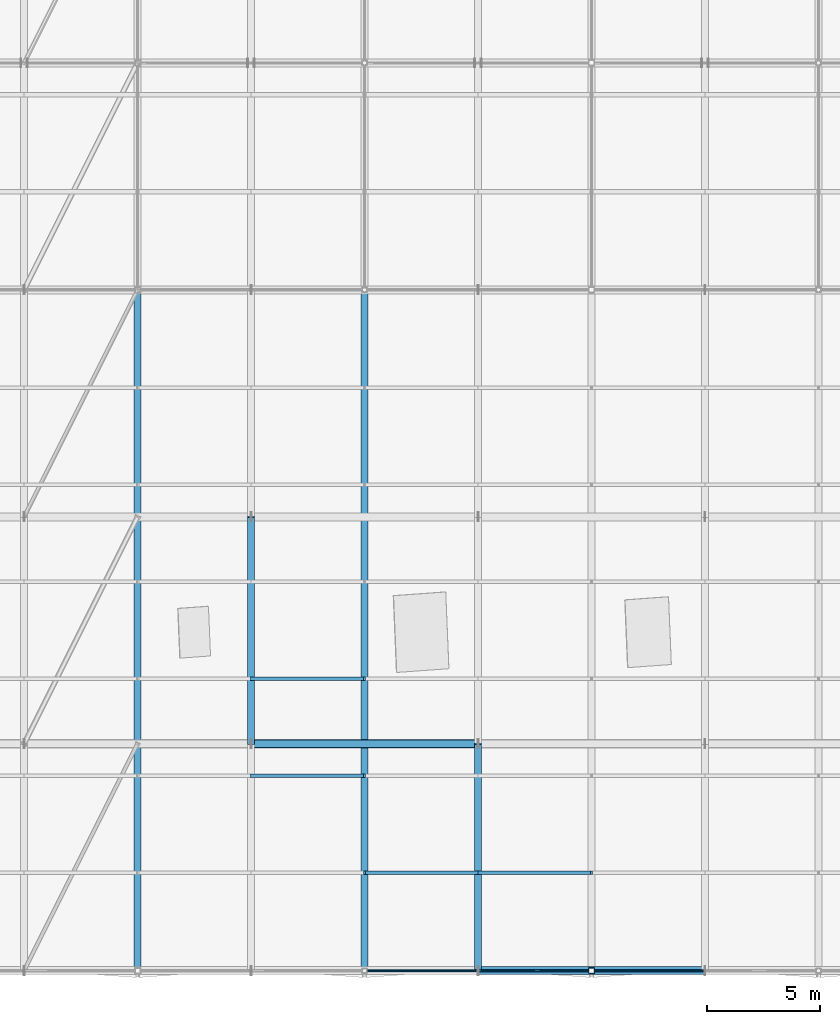
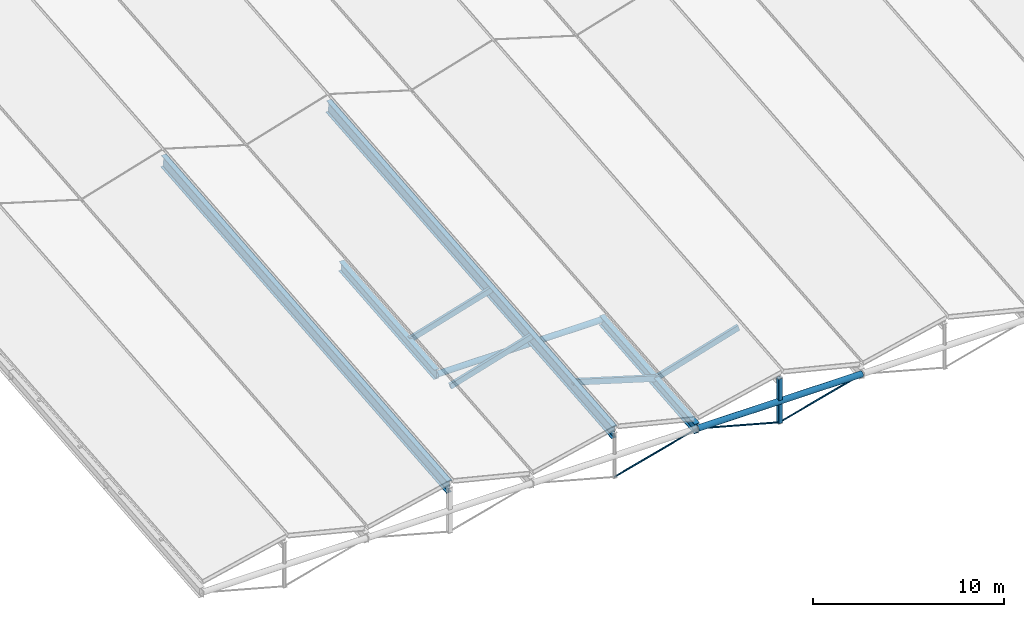
# One storey, part 14 of 90: 8 members, 6 beams.
"""IFC4 building model written with IfcOpenShell, lengths in metres."""

from ifc_helpers import new_model, si_unit, direction, frame, origin, origin_2d, place, context, subcontext, project, spatial, rectangle, hollow_rectangle, circle, hollow_circle, i_section, extrude, material, material_profile, profile_set, type_object, element, save


model = new_model("IFC4")

# Units and contexts
model_context = context("Model", 3, precision=1e-05, world=origin(), true_north=direction((0.0, 1.0)))
body_context = subcontext(model_context, "Body", "Model", "MODEL_VIEW")
ifc_project = project(units=[si_unit("LENGTHUNIT", "METRE"), si_unit("AREAUNIT", "SQUARE_METRE"), si_unit("VOLUMEUNIT", "CUBIC_METRE"), si_unit("PLANEANGLEUNIT", "RADIAN"), si_unit("MASSUNIT", "GRAM", prefix="KILO"), si_unit("THERMODYNAMICTEMPERATUREUNIT", "KELVIN"), si_unit("POWERUNIT", "WATT")], contexts=[model_context])

# Site, building, storey
site_placement = place(None, origin())
site = spatial("IfcSite", under=ifc_project, at=site_placement, CompositionType="ELEMENT")
building_placement = place(site_placement, origin())
building = spatial("IfcBuilding", under=site, at=building_placement, Name="Korenveer Ferry Terminal", CompositionType="ELEMENT")
storey_placement = place(building_placement, frame((0.0, 0.0, 22.199951171875)))
storey = spatial("IfcBuildingStorey", under=building, at=storey_placement, Name="RF", CompositionType="ELEMENT", Elevation=22.199951171875)

# Beams
ifc_material_1 = material(Name="Steel S355", Category="steel")
ifc_material_profile_1 = material_profile(ifc_material_1, i_section(OverallWidth=0.300048828125, OverallDepth=0.64990234375, WebThickness=0.01611328125, FlangeThickness=0.031005859375, FilletRadius=0.027099609375, at=origin_2d()), Name="HEB 650")
ifc_profile_set_1 = profile_set([ifc_material_profile_1], Name="Steel S355")
beam_type_1 = type_object("IfcBeamType", Name="STR-BM-HEB650", PredefinedType="BEAM", material=ifc_profile_set_1)
for number, where, z_axis, x_axis, name in (
    (1, (73.0, 30.0, -10.49365234375), (0.0, 0.995903364261, 0.090423940715), (-1.0, 0.0, 0.0), "Folded roof valley girder 29"),
    (2, (83.0, 20.0, -11.401611328125), (0.0, 0.995903364261, 0.090423940715), (-1.0, 0.0, 0.0), "Folded roof valley girder 33"),
):
    element("IfcBeam", number, at=place(storey_placement, frame(where, z_axis=z_axis, x_axis=x_axis)), inside=storey, type_object=beam_type_1, Name=name, PredefinedType="BEAM", context=body_context, shape_type="SweptSolid", body=[
        extrude(i_section(OverallWidth=0.300048828125, OverallDepth=0.64990234375, WebThickness=0.01611328125, FlangeThickness=0.031005859375, FilletRadius=0.027099609375, at=origin_2d()), origin(), (0.0, 0.0, 1.0), 10.041015625),
    ])
ifc_material_profile_2 = material_profile(ifc_material_1, i_section(OverallWidth=0.300048828125, OverallDepth=0.800048828125, WebThickness=0.017578125, FlangeThickness=0.032958984375, FilletRadius=0.030029296875, at=origin_2d()), Name="HEB 800")
ifc_profile_set_2 = profile_set([ifc_material_profile_2], Name="Steel S355")
beam_type_2 = type_object("IfcBeamType", Name="STR-BM-HEB800", PredefinedType="BEAM", material=ifc_profile_set_2)
for number, where, z_axis, x_axis, name in (
    (3, (68.0, 20.0, -9.891845703125), (0.0, 0.995903364261, 0.090423940715), (-1.0, 0.0, 0.0), "Folded roof ridge girder 3"),
    (4, (78.0, 20.0, -9.891845703125), (0.0, 0.995903364261, 0.090423940715), (-1.0, 0.0, 0.0), "Folded roof ridge girder 5"),
):
    element("IfcBeam", number, at=place(storey_placement, frame(where, z_axis=z_axis, x_axis=x_axis)), inside=storey, type_object=beam_type_2, Name=name, PredefinedType="BEAM", context=body_context, shape_type="SweptSolid", body=[
        extrude(i_section(OverallWidth=0.300048828125, OverallDepth=0.800048828125, WebThickness=0.017578125, FlangeThickness=0.032958984375, FilletRadius=0.030029296875, at=origin_2d()), origin(), (0.0, 0.0, 1.0), 30.123291015625),
    ])

# Members
ifc_material_2 = material(Name="High-strength steel S460", Category="steel")
ifc_material_profile_3 = material_profile(ifc_material_2, circle(Radius=0.0380859375, at=origin_2d()), Name="ROD D76")
ifc_profile_set_3 = profile_set([ifc_material_profile_3], Name="High-strength steel S460")
member_type_1 = type_object("IfcMemberType", Name="STR-CBL-D76", PredefinedType="USERDEFINED", material=ifc_profile_set_3)
for number, where, z_axis, x_axis, name in (
    (5, (83.0, 20.0, -11.401611328125), (-0.965424337217, 0.0, -0.260683426993), (0.0, -1.0, 0.0), "Roof tension tie cable 6"),
    (6, (83.0, 20.0, -11.401611328125), (0.965424337217, 0.0, -0.260683426993), (0.0, 1.0, 0.0), "Roof tension tie cable 7"),
    (7, (93.0, 20.0, -11.401611328125), (-0.965424337217, 0.0, -0.260683426993), (0.0, -1.0, 0.0), "Roof tension tie cable 8"),
):
    element("IfcMember", number, at=place(storey_placement, frame(where, z_axis=z_axis, x_axis=x_axis)), inside=storey, type_object=member_type_1, Name=name, ObjectType="CABLE", PredefinedType="USERDEFINED", context=body_context, shape_type="SweptSolid", body=[
        extrude(circle(Radius=0.0380859375, at=origin_2d()), origin(), (0.0, 0.0, 1.0), 5.178955078125),
    ])
ifc_material_3 = material(Name="Glulam GL28h", Category="wood")
ifc_material_profile_4 = material_profile(ifc_material_3, rectangle(XDim=0.159912109375, YDim=0.360107421875, at=origin_2d()), Name="GL 160x360")
ifc_profile_set_4 = profile_set([ifc_material_profile_4], Name="Glulam GL28h")
member_type_2 = type_object("IfcMemberType", Name="STR-PUR-GL160", PredefinedType="PURLIN", material=ifc_profile_set_4)
for number, where, z_axis, x_axis, name in (
    (8, (73.0, 28.5927734375, -10.400146484375), (0.957310140112, 0.0, 0.289062788401), (0.0, 1.0, 0.0), "Folded roof glulam purlin 74"),
    (9, (73.0, 32.8642578125, -10.01220703125), (0.957310140112, 0.0, 0.289062788401), (0.0, 1.0, 0.0), "Folded roof glulam purlin 75"),
    (10, (78.0, 24.321533203125, -9.2783203125), (0.957323074362, 0.0, -0.289019949647), (0.0, 1.0, 0.0), "Folded roof glulam purlin 79"),
    (11, (83.0, 24.321533203125, -10.787841796875), (0.957323074362, 0.0, 0.289019949647), (0.0, 1.0, 0.0), "Folded roof glulam purlin 109"),
):
    element("IfcMember", number, at=place(storey_placement, frame(where, z_axis=z_axis, x_axis=x_axis)), inside=storey, type_object=member_type_2, Name=name, PredefinedType="PURLIN", context=body_context, shape_type="SweptSolid", body=[
        extrude(rectangle(XDim=0.159912109375, YDim=0.360107421875, at=origin_2d()), origin(), (0.0, 0.0, 1.0), 5.222900390625),
    ])

# Beams
ifc_material_profile_5 = material_profile(ifc_material_1, hollow_circle(Radius=0.177734375, WallThickness=0.01611328125, at=origin_2d()), Name="CHS 355.6x16")
ifc_profile_set_5 = profile_set([ifc_material_profile_5], Name="Steel S355")
beam_type_3 = type_object("IfcBeamType", Name="STR-RFG-CHS355", PredefinedType="USERDEFINED", material=ifc_profile_set_5)
for number, where, z_axis, x_axis, name in (
    (12, (83.02001953125, 20.0, -11.401611328125), (1.0, 0.0, 0.0), (0.0, 1.0, 0.0), "Roof transverse tie girder 78"),
    (13, (73.02001953125, 30.0, -10.49365234375), (1.0, 0.0, 0.0), (0.0, 1.0, 0.0), "Roof transverse tie girder 84"),
):
    element("IfcBeam", number, at=place(storey_placement, frame(where, z_axis=z_axis, x_axis=x_axis)), inside=storey, type_object=beam_type_3, Name=name, ObjectType="ROOF GIRDER", PredefinedType="USERDEFINED", context=body_context, shape_type="SweptSolid", body=[
        extrude(hollow_circle(Radius=0.177734375, WallThickness=0.01611328125, at=origin_2d()), origin(), (0.0, 0.0, 1.0), 9.9599609375),
    ])

# Member
ifc_material_profile_6 = material_profile(ifc_material_1, hollow_rectangle(XDim=0.25, YDim=0.25, WallThickness=0.012451171875, InnerFilletRadius=0.012451171875, OuterFilletRadius=0.018798828125, at=origin_2d()), Name="SHS 250x250x12.5")
ifc_profile_set_6 = profile_set([ifc_material_profile_6], Name="Steel S355")
member_type_3 = type_object("IfcMemberType", Name="STR-STT-SHS250", PredefinedType="STRUT", material=ifc_profile_set_6)
member_placement = place(storey_placement, frame((88.0, 20.0, -12.751708984375), z_axis=(0.0, 0.0, 1.0), x_axis=(1.0, 0.0, 0.0)))
element("IfcMember", 14, at=member_placement, inside=storey, type_object=member_type_3, Name="Roof king-post strut STTKP-Y20-B3", PredefinedType="STRUT", context=body_context, shape_type="SweptSolid", body=[
    extrude(hollow_rectangle(XDim=0.25, YDim=0.25, WallThickness=0.012451171875, InnerFilletRadius=0.012451171875, OuterFilletRadius=0.018798828125, at=origin_2d()), origin(), (0.0, 0.0, 1.0), 2.85986328125),
])

save(model, "model.ifc")
